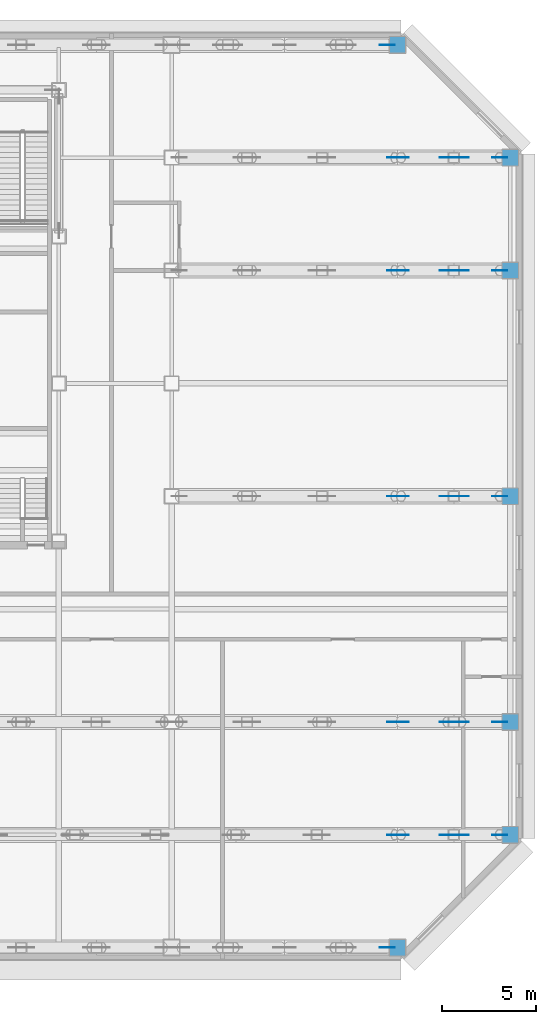
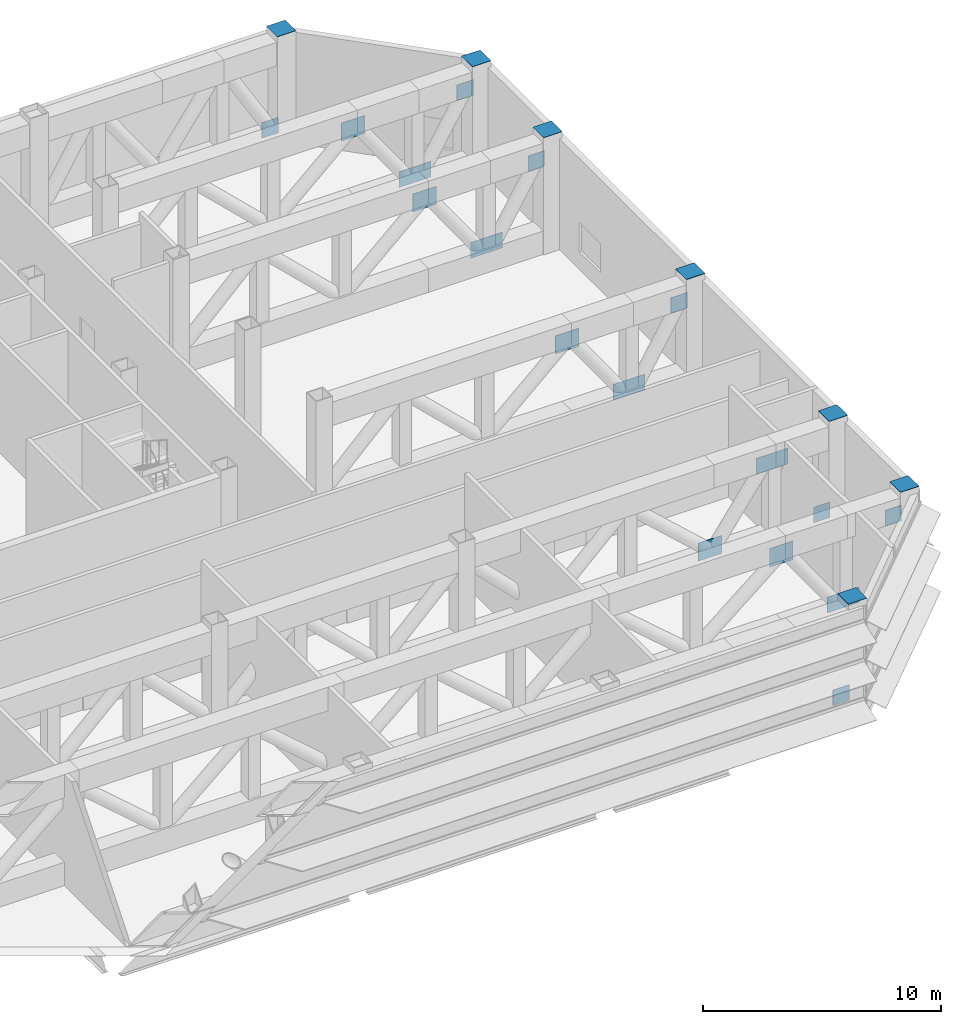
# One storey, part 14 of 17: 24 discrete accessories.
"""IFC4 building model written with IfcOpenShell, lengths in metres."""

from ifc_helpers import new_model, si_unit, direction, frame, origin, origin_2d, place, context, subcontext, project, spatial, rectangle, extrude, material, layer, layer_set, type_object, element, save


model = new_model("IFC4")

# Units and contexts
model_context = context("Model", 3, precision=1e-05, world=origin(), true_north=direction((0.0, 1.0)))
body_context = subcontext(model_context, "Body", "Model", "MODEL_VIEW")
ifc_project = project(units=[si_unit("LENGTHUNIT", "METRE"), si_unit("AREAUNIT", "SQUARE_METRE"), si_unit("VOLUMEUNIT", "CUBIC_METRE"), si_unit("PLANEANGLEUNIT", "RADIAN"), si_unit("MASSUNIT", "GRAM", prefix="KILO")], contexts=[model_context])

# Site, building, storey
site_placement = place(None, origin())
site = spatial("IfcSite", under=ifc_project, at=site_placement, CompositionType="ELEMENT")
building_placement = place(site_placement, origin())
building = spatial("IfcBuilding", under=site, at=building_placement, Name="Sorahane Residences", CompositionType="ELEMENT")
storey_placement = place(building_placement, frame((0.0, 0.0, 90.199951171875)))
storey = spatial("IfcBuildingStorey", under=building, at=storey_placement, Name="L19", CompositionType="ELEMENT", Elevation=90.199951171875)

# Discrete accessories
ifc_material_1 = material(Name="Steel Q420GJ", Category="steel")
ifc_layer_1 = layer(ifc_material_1, 0.02001953125)
ifc_layer_set_1 = layer_set([ifc_layer_1], Name="End plate Steel Q420GJ 900x900x20")
discrete_accessory_type_1 = type_object("IfcDiscreteAccessoryType", Name="End plate Steel Q420GJ 900x900x20", PredefinedType="USERDEFINED", material=ifc_layer_set_1)
for number, where, z_axis, x_axis, name in (
    (1, (60.0, 0.0, 6.0), (0.0, 0.0, 1.0), (1.0, 0.0, 0.0), "End plate L19"),
    (2, (60.0, 48.0, 6.0), (0.0, 0.0, 1.0), (1.0, 0.0, 0.0), "End plate L19"),
    (3, (66.0, 12.0, 6.0), (0.0, 0.0, 1.0), (1.0, 0.0, 0.0), "End plate L19"),
    (4, (66.0, 24.0, 6.0), (0.0, 0.0, 1.0), (1.0, 0.0, 0.0), "End plate L19"),
    (5, (66.0, 36.0, 6.0), (0.0, 0.0, 1.0), (1.0, 0.0, 0.0), "End plate L19"),
    (6, (66.0, 42.0, 6.0), (0.0, 0.0, 1.0), (1.0, 0.0, 0.0), "End plate L19"),
    (7, (66.0, 6.0, 6.0), (0.0, 0.0, 1.0), (1.0, 0.0, 0.0), "End plate L19"),
):
    element("IfcDiscreteAccessory", number, at=place(storey_placement, frame(where, z_axis=z_axis, x_axis=x_axis)), inside=storey, type_object=discrete_accessory_type_1, Name=name, ObjectType="END PLATE", PredefinedType="USERDEFINED", context=body_context, shape_type="SweptSolid", body=[
        extrude(rectangle(XDim=0.89990234375, YDim=0.89990234375, at=origin_2d()), origin(), (0.0, 0.0, 1.0), 0.02001953125),
    ])
ifc_material_2 = material(Name="Steel Q420GJ", Category="steel")
ifc_layer_2 = layer(ifc_material_2, 0.02490234375)
ifc_layer_set_2 = layer_set([ifc_layer_2], Name="Node plate Steel Q420GJ 25")
discrete_accessory_type_2 = type_object("IfcDiscreteAccessoryType", Name="Node plate Steel Q420GJ 25", PredefinedType="BRACKET", material=ifc_layer_set_2)
discrete_accessory_1_placement = place(storey_placement, frame((59.452392578125, 0.0, 0.71533203125), z_axis=(0.0, 0.0, 1.0), x_axis=(1.0, 0.0, 0.0)))
element("IfcDiscreteAccessory", 8, at=discrete_accessory_1_placement, inside=storey, type_object=discrete_accessory_type_2, Name="Node plate L19 tr", PredefinedType="BRACKET", context=body_context, shape_type="SweptSolid", body=[
    extrude(rectangle(XDim=0.800048828125, YDim=0.02490234375, at=origin_2d()), origin(), (0.0, 0.0, 1.0), 0.800048828125),
])
discrete_accessory_2_placement = place(storey_placement, frame((63.027587890625, 6.0, 0.70849609375), z_axis=(0.0, 0.0, 1.0), x_axis=(1.0, 0.0, 0.0)))
element("IfcDiscreteAccessory", 9, at=discrete_accessory_2_placement, inside=storey, type_object=discrete_accessory_type_2, Name="Node plate L19 tr", PredefinedType="BRACKET", context=body_context, shape_type="SweptSolid", body=[
    extrude(rectangle(XDim=1.540283203125, YDim=0.02490234375, at=origin_2d()), origin(), (0.0, 0.0, 1.0), 0.80712890625),
])
discrete_accessory_3_placement = place(storey_placement, frame((60.021484375, 6.0, 4.0341796875), z_axis=(0.0, 0.0, 1.0), x_axis=(1.0, 0.0, 0.0)))
element("IfcDiscreteAccessory", 10, at=discrete_accessory_3_placement, inside=storey, type_object=discrete_accessory_type_2, Name="Node plate L19 tr", PredefinedType="BRACKET", context=body_context, shape_type="SweptSolid", body=[
    extrude(rectangle(XDim=1.142578125, YDim=0.02490234375, at=origin_2d()), origin(), (0.0, 0.0, 1.0), 0.95751953125),
])
discrete_accessory_4_placement = place(storey_placement, frame((65.452392578125, 6.0, 4.1845703125), z_axis=(0.0, 0.0, 1.0), x_axis=(1.0, 0.0, 0.0)))
element("IfcDiscreteAccessory", 11, at=discrete_accessory_4_placement, inside=storey, type_object=discrete_accessory_type_2, Name="Node plate L19 tr", PredefinedType="BRACKET", context=body_context, shape_type="SweptSolid", body=[
    extrude(rectangle(XDim=0.800048828125, YDim=0.02490234375, at=origin_2d()), origin(), (0.0, 0.0, 1.0), 0.800048828125),
])
discrete_accessory_5_placement = place(storey_placement, frame((60.021484375, 12.0, 0.70849609375), z_axis=(0.0, 0.0, 1.0), x_axis=(1.0, 0.0, 0.0)))
element("IfcDiscreteAccessory", 12, at=discrete_accessory_5_placement, inside=storey, type_object=discrete_accessory_type_2, Name="Node plate L19 tr", PredefinedType="BRACKET", context=body_context, shape_type="SweptSolid", body=[
    extrude(rectangle(XDim=1.142578125, YDim=0.02490234375, at=origin_2d()), origin(), (0.0, 0.0, 1.0), 0.925537109375),
])
discrete_accessory_6_placement = place(storey_placement, frame((65.452392578125, 12.0, 0.71533203125), z_axis=(0.0, 0.0, 1.0), x_axis=(1.0, 0.0, 0.0)))
element("IfcDiscreteAccessory", 13, at=discrete_accessory_6_placement, inside=storey, type_object=discrete_accessory_type_2, Name="Node plate L19 tr", PredefinedType="BRACKET", context=body_context, shape_type="SweptSolid", body=[
    extrude(rectangle(XDim=0.800048828125, YDim=0.02490234375, at=origin_2d()), origin(), (0.0, 0.0, 1.0), 0.800048828125),
])
for number, where, z_axis, x_axis, name in (
    (14, (63.027587890625, 12.0, 4.1845703125), (0.0, 0.0, 1.0), (1.0, 0.0, 0.0), "Node plate L19 tr"),
    (15, (63.027587890625, 24.0, 0.70849609375), (0.0, 0.0, 1.0), (1.0, 0.0, 0.0), "Node plate L19 tr"),
):
    element("IfcDiscreteAccessory", number, at=place(storey_placement, frame(where, z_axis=z_axis, x_axis=x_axis)), inside=storey, type_object=discrete_accessory_type_2, Name=name, PredefinedType="BRACKET", context=body_context, shape_type="SweptSolid", body=[
        extrude(rectangle(XDim=1.540283203125, YDim=0.02490234375, at=origin_2d()), origin(), (0.0, 0.0, 1.0), 0.80712890625),
    ])
discrete_accessory_7_placement = place(storey_placement, frame((60.021484375, 24.0, 4.06640625), z_axis=(0.0, 0.0, 1.0), x_axis=(1.0, 0.0, 0.0)))
element("IfcDiscreteAccessory", 16, at=discrete_accessory_7_placement, inside=storey, type_object=discrete_accessory_type_2, Name="Node plate L19 tr", PredefinedType="BRACKET", context=body_context, shape_type="SweptSolid", body=[
    extrude(rectangle(XDim=1.142578125, YDim=0.02490234375, at=origin_2d()), origin(), (0.0, 0.0, 1.0), 0.925537109375),
])
discrete_accessory_8_placement = place(storey_placement, frame((65.452392578125, 24.0, 4.1845703125), z_axis=(0.0, 0.0, 1.0), x_axis=(1.0, 0.0, 0.0)))
element("IfcDiscreteAccessory", 17, at=discrete_accessory_8_placement, inside=storey, type_object=discrete_accessory_type_2, Name="Node plate L19 tr", PredefinedType="BRACKET", context=body_context, shape_type="SweptSolid", body=[
    extrude(rectangle(XDim=0.800048828125, YDim=0.02490234375, at=origin_2d()), origin(), (0.0, 0.0, 1.0), 0.800048828125),
])
discrete_accessory_9_placement = place(storey_placement, frame((63.027587890625, 36.0, 0.70849609375), z_axis=(0.0, 0.0, 1.0), x_axis=(1.0, 0.0, 0.0)))
element("IfcDiscreteAccessory", 18, at=discrete_accessory_9_placement, inside=storey, type_object=discrete_accessory_type_2, Name="Node plate L19 tr", PredefinedType="BRACKET", context=body_context, shape_type="SweptSolid", body=[
    extrude(rectangle(XDim=1.540283203125, YDim=0.02490234375, at=origin_2d()), origin(), (0.0, 0.0, 1.0), 0.80712890625),
])
discrete_accessory_10_placement = place(storey_placement, frame((60.021484375, 36.0, 4.06640625), z_axis=(0.0, 0.0, 1.0), x_axis=(1.0, 0.0, 0.0)))
element("IfcDiscreteAccessory", 19, at=discrete_accessory_10_placement, inside=storey, type_object=discrete_accessory_type_2, Name="Node plate L19 tr", PredefinedType="BRACKET", context=body_context, shape_type="SweptSolid", body=[
    extrude(rectangle(XDim=1.142578125, YDim=0.02490234375, at=origin_2d()), origin(), (0.0, 0.0, 1.0), 0.925537109375),
])
discrete_accessory_11_placement = place(storey_placement, frame((65.452392578125, 36.0, 4.1845703125), z_axis=(0.0, 0.0, 1.0), x_axis=(1.0, 0.0, 0.0)))
element("IfcDiscreteAccessory", 20, at=discrete_accessory_11_placement, inside=storey, type_object=discrete_accessory_type_2, Name="Node plate L19 tr", PredefinedType="BRACKET", context=body_context, shape_type="SweptSolid", body=[
    extrude(rectangle(XDim=0.800048828125, YDim=0.02490234375, at=origin_2d()), origin(), (0.0, 0.0, 1.0), 0.800048828125),
])
discrete_accessory_12_placement = place(storey_placement, frame((63.027587890625, 42.0, 0.70849609375), z_axis=(0.0, 0.0, 1.0), x_axis=(1.0, 0.0, 0.0)))
element("IfcDiscreteAccessory", 21, at=discrete_accessory_12_placement, inside=storey, type_object=discrete_accessory_type_2, Name="Node plate L19 tr", PredefinedType="BRACKET", context=body_context, shape_type="SweptSolid", body=[
    extrude(rectangle(XDim=1.540283203125, YDim=0.02490234375, at=origin_2d()), origin(), (0.0, 0.0, 1.0), 0.80712890625),
])
discrete_accessory_13_placement = place(storey_placement, frame((60.021484375, 42.0, 4.06640625), z_axis=(0.0, 0.0, 1.0), x_axis=(1.0, 0.0, 0.0)))
element("IfcDiscreteAccessory", 22, at=discrete_accessory_13_placement, inside=storey, type_object=discrete_accessory_type_2, Name="Node plate L19 tr", PredefinedType="BRACKET", context=body_context, shape_type="SweptSolid", body=[
    extrude(rectangle(XDim=1.142578125, YDim=0.02490234375, at=origin_2d()), origin(), (0.0, 0.0, 1.0), 0.925537109375),
])
for number, where, z_axis, x_axis, name in (
    (23, (65.452392578125, 42.0, 4.1845703125), (0.0, 0.0, 1.0), (1.0, 0.0, 0.0), "Node plate L19 tr"),
    (24, (59.452392578125, 48.0, 0.71533203125), (0.0, 0.0, 1.0), (1.0, 0.0, 0.0), "Node plate L19 tr"),
):
    element("IfcDiscreteAccessory", number, at=place(storey_placement, frame(where, z_axis=z_axis, x_axis=x_axis)), inside=storey, type_object=discrete_accessory_type_2, Name=name, PredefinedType="BRACKET", context=body_context, shape_type="SweptSolid", body=[
        extrude(rectangle(XDim=0.800048828125, YDim=0.02490234375, at=origin_2d()), origin(), (0.0, 0.0, 1.0), 0.800048828125),
    ])

save(model, "model.ifc")
